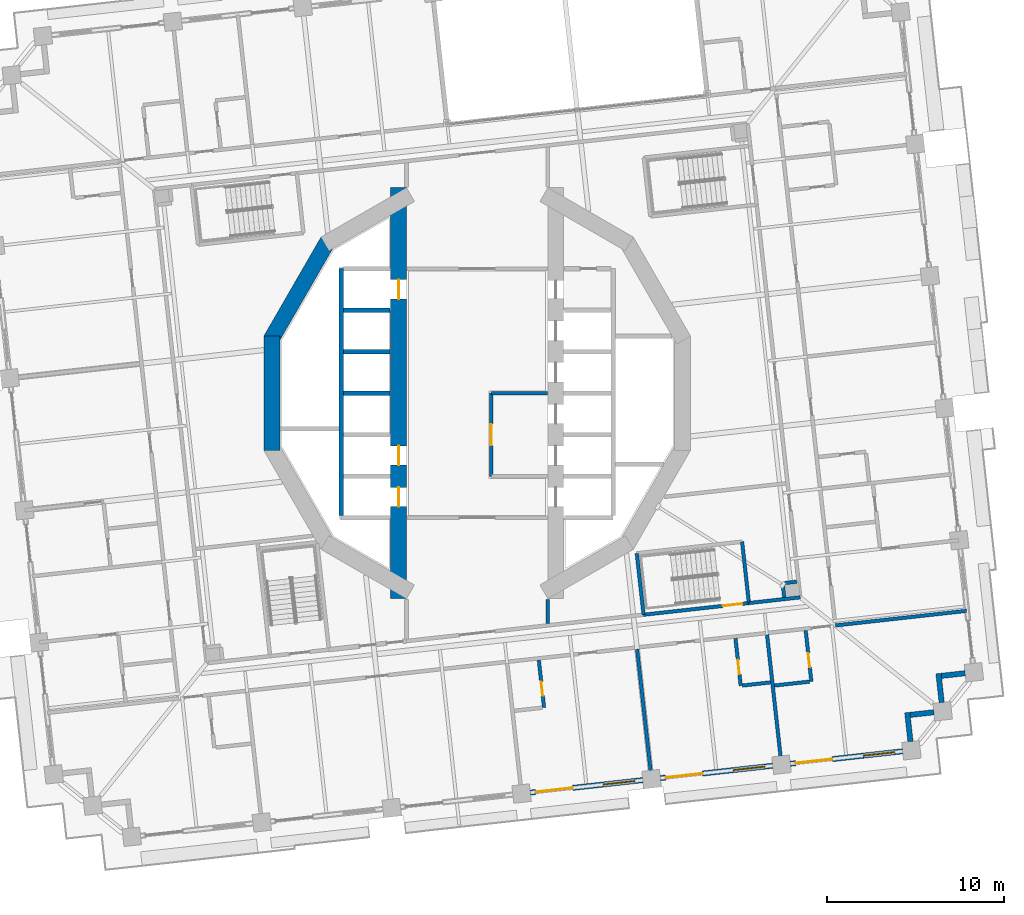
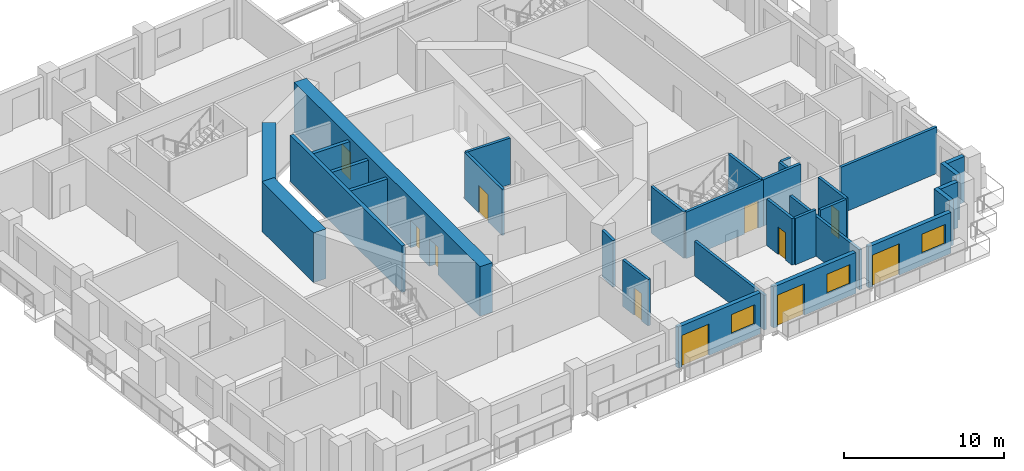
# One storey, part 9 of 20: 31 walls, 11 doors, 3 windows, 14 openings.
"""IFC4 building model written with IfcOpenShell, lengths in metres."""

from ifc_helpers import new_model, si_unit, direction, frame, frame_2d, origin, place, context, subcontext, project, spatial, rectangle, extrude, material, layer, layer_set, type_object, element, fill, save


model = new_model("IFC4")

# Units and contexts
model_context = context("Model", 3, precision=1e-05, world=origin(), true_north=direction((0.0, 1.0)))
body_context = subcontext(model_context, "Body", "Model", "MODEL_VIEW")
ifc_project = project(units=[si_unit("LENGTHUNIT", "METRE"), si_unit("AREAUNIT", "SQUARE_METRE"), si_unit("VOLUMEUNIT", "CUBIC_METRE"), si_unit("PLANEANGLEUNIT", "RADIAN"), si_unit("MASSUNIT", "GRAM", prefix="KILO")], contexts=[model_context])

# Site, building, storey
site_placement = place(None, origin())
site = spatial("IfcSite", under=ifc_project, at=site_placement, CompositionType="ELEMENT")
building_placement = place(site_placement, origin())
building = spatial("IfcBuilding", under=site, at=building_placement, Name="Cantera Rosa Tower", CompositionType="ELEMENT")
storey_placement = place(building_placement, frame((0.0, 0.0, 50.10009765625)))
storey = spatial("IfcBuildingStorey", under=building, at=storey_placement, Name="L09", CompositionType="ELEMENT", Elevation=50.10009765625)

# Walls
ifc_material_1 = material(Name="Gypsum board partition")
ifc_layer_1 = layer(ifc_material_1, 0.199951171875)
ifc_layer_set_1 = layer_set([ifc_layer_1], Name="CORRIDOR WALL 200 H3550")
wall_type_1 = type_object("IfcWallType", Name="CORRIDOR WALL 200 H3550", PredefinedType="PARTITIONING", material=ifc_layer_set_1)
wall_1_placement = place(storey_placement, frame((4.0, -13.038818359375, 0.0), z_axis=(0.0, 0.0, 1.0), x_axis=(0.0, 1.0, 0.0)))
element("IfcWall", 1, at=wall_1_placement, inside=storey, type_object=wall_type_1, Name="CORRIDOR WALL L09-063", PredefinedType="PARTITIONING", context=body_context, shape_type="SweptSolid", body=[
    extrude(rectangle(XDim=1.37158203125, YDim=0.199951171875, at=frame_2d((0.685791015625, 0.0))), origin(), (0.0, 0.0, 1.0), 3.5498046875),
])
wall_2_placement = place(storey_placement, frame((15.382080078125, -11.87548828125, 0.0), z_axis=(0.0, 0.0, 1.0), x_axis=(0.993899009794, 0.110293963256, 0.0)))
element("IfcWall", 2, at=wall_2_placement, inside=storey, type_object=wall_type_1, Name="CORRIDOR WALL L09-089", PredefinedType="PARTITIONING", context=body_context, shape_type="SweptSolid", body=[
    extrude(rectangle(XDim=2.921875, YDim=0.199951171875, at=frame_2d((1.4609375, 0.0))), origin(), (0.0, 0.0, 1.0), 3.5498046875),
])
ifc_material_2 = material(Name="Hollow clay masonry with cantera stone cladding", Category="masonry")
ifc_layer_2 = layer(ifc_material_2, 0.300048828125)
ifc_layer_set_2 = layer_set([ifc_layer_2], Name="EW-LOGGIA 300")
wall_type_2 = type_object("IfcWallType", Name="EW-LOGGIA 300", PredefinedType="SOLIDWALL", material=ifc_layer_set_2)
wall_3_placement = place(storey_placement, frame((24.5244140625, -19.71484375, 0.0), z_axis=(0.0, 0.0, 1.0), x_axis=(-0.110236638423, 0.993905369514, 0.0)))
element("IfcWall", 3, at=wall_3_placement, inside=storey, type_object=wall_type_2, Name="EN-L09-W29a", PredefinedType="SOLIDWALL", context=body_context, shape_type="SweptSolid", body=[
    extrude(rectangle(XDim=1.64990234375, YDim=0.300048828125, at=frame_2d((0.824951171875, 0.0))), origin(), (0.0, 0.0, 1.0), 3.5),
])
wall_4_placement = place(storey_placement, frame((24.508056640625, -18.20751953125, 0.0), z_axis=(0.0, 0.0, 1.0), x_axis=(0.993896959738, 0.110312435488, 0.0)))
element("IfcWall", 4, at=wall_4_placement, inside=storey, type_object=wall_type_2, Name="EN-L09-W29b", PredefinedType="SOLIDWALL", context=body_context, shape_type="SweptSolid", body=[
    extrude(rectangle(XDim=1.35009765625, YDim=0.300048828125, at=frame_2d((0.675048828125, 0.0))), origin(), (0.0, 0.0, 1.0), 3.5),
])
wall_5_placement = place(storey_placement, frame((26.291748046875, -17.506591796875, 0.0), z_axis=(0.0, 0.0, 1.0), x_axis=(-0.110382805355, 0.993889146878, 0.0)))
element("IfcWall", 5, at=wall_5_placement, inside=storey, type_object=wall_type_2, Name="EN-L09-W30a", PredefinedType="SOLIDWALL", context=body_context, shape_type="SweptSolid", body=[
    extrude(rectangle(XDim=1.64990234375, YDim=0.300048828125, at=frame_2d((0.824951171875, 0.0))), origin(), (0.0, 0.0, 1.0), 3.5),
])
wall_6_placement = place(storey_placement, frame((26.275146484375, -15.999267578125, 0.0), z_axis=(0.0, 0.0, 1.0), x_axis=(0.993896959738, 0.110312435488, 0.0)))
element("IfcWall", 6, at=wall_6_placement, inside=storey, type_object=wall_type_2, Name="EN-L09-W30b", PredefinedType="SOLIDWALL", context=body_context, shape_type="SweptSolid", body=[
    extrude(rectangle(XDim=1.35009765625, YDim=0.300048828125, at=frame_2d((0.675048828125, 0.0))), origin(), (0.0, 0.0, 1.0), 3.5),
])

# Wall, openings, window, door
ifc_material_3 = material(Name="Hollow clay masonry with cantera stone cladding", Category="masonry")
ifc_layer_3 = layer(ifc_material_3, 0.300048828125)
ifc_layer_set_3 = layer_set([ifc_layer_3], Name="EW-LOGGIA 300 H3140")
wall_type_3 = type_object("IfcWallType", Name="EW-LOGGIA 300 H3140", PredefinedType="SOLIDWALL", material=ifc_layer_set_3)
wall_7_placement = place(storey_placement, frame((3.011962890625, -22.605712890625, 0.0), z_axis=(0.0, 0.0, 1.0), x_axis=(0.993896288542, 0.110318482689, 0.0)))
wall_7 = element("IfcWall", 7, at=wall_7_placement, inside=storey, type_object=wall_type_3, Name="EN-L09-W26", PredefinedType="SOLIDWALL", context=body_context, shape_type="SweptSolid", body=[
    extrude(rectangle(XDim=6.400146484375, YDim=0.300048828125, at=frame_2d((3.2001953125, 0.0))), origin(), (0.0, 0.0, 1.0), 3.139892578125),
])
opening_1_placement = place(wall_7_placement, frame((0.300048828125, 0.0, 0.0)))
opening_1 = element("IfcOpeningElement", 8, at=opening_1_placement, cuts=wall_7, Name="Opening L09-TD35", PredefinedType="OPENING", context=body_context, shape_type="SweptSolid", body=[
    extrude(rectangle(XDim=2.10009765625, YDim=2.39990234375, at=frame_2d((1.050048828125, 1.199951171875))), frame((0.0, 0.159912109375, 0.0), z_axis=(0.0, -1.0, 0.0), x_axis=(1.0, 0.0, 0.0)), (0.0, 0.0, 1.0), 0.320068359375),
])
opening_2_placement = place(wall_7_placement, frame((4.14990234375, 0.0, 0.89990234375)))
opening_2 = element("IfcOpeningElement", 9, at=opening_2_placement, cuts=wall_7, Name="Opening L09-W36", PredefinedType="OPENING", context=body_context, shape_type="SweptSolid", body=[
    extrude(rectangle(XDim=1.800048828125, YDim=1.5, at=frame_2d((0.89990234375, 0.75))), frame((0.0, 0.159912109375, 0.0), z_axis=(0.0, -1.0, 0.0), x_axis=(1.0, 0.0, 0.0)), (0.0, 0.0, 1.0), 0.320068359375),
])
ifc_material_4 = material(Name="Aluminium frame with clear glass", Category="aluminium")
window_type = type_object("IfcWindowType", Name="Hotel room window 1800x1500", PartitioningType="DOUBLE_PANEL_VERTICAL", PredefinedType="WINDOW", material=ifc_material_4)
window_1_placement = place(opening_2_placement, origin())
window_1 = element("IfcWindow", 10, at=window_1_placement, inside=storey, type_object=window_type, Name="WINDOW L09-W36", OverallHeight=1.5, OverallWidth=1.800048828125, PartitioningType="SINGLE_PANEL", PredefinedType="WINDOW", context=body_context, shape_type="SweptSolid", body=[
    extrude(rectangle(XDim=1.800048828125, YDim=1.5, at=frame_2d((0.89990234375, 0.75))), frame((0.0, 0.030029296875, 0.0), z_axis=(0.0, -1.0, 0.0), x_axis=(1.0, 0.0, 0.0)), (0.0, 0.0, 1.0), 0.06005859375),
])
fill(opening_2, window_1)
ifc_material_5 = material(Name="Aluminium frame with clear glass", Category="aluminium")
door_type_1 = type_object("IfcDoorType", Name="TD-H 2100x2400", OperationType="NOTDEFINED", PredefinedType="DOOR", material=ifc_material_5)
door_1_placement = place(opening_1_placement, origin())
door_1 = element("IfcDoor", 11, at=door_1_placement, inside=storey, type_object=door_type_1, Name="LOGGIA DOOR L09-TD35", OperationType="SLIDING_TO_LEFT", OverallHeight=2.39990234375, OverallWidth=2.10009765625, PredefinedType="DOOR", context=body_context, shape_type="SweptSolid", body=[
    extrude(rectangle(XDim=2.10009765625, YDim=2.39990234375, at=frame_2d((1.050048828125, 1.199951171875))), frame((0.0, 0.02490234375, 0.0), z_axis=(0.0, -1.0, 0.0), x_axis=(1.0, 0.0, 0.0)), (0.0, 0.0, 1.0), 0.050048828125),
])
fill(opening_1, door_1)

wall_8_placement = place(storey_placement, frame((10.366943359375, -21.789306640625, 0.0), z_axis=(0.0, 0.0, 1.0), x_axis=(0.993900006422, 0.110284981906, 0.0)))
wall_8 = element("IfcWall", 12, at=wall_8_placement, inside=storey, type_object=wall_type_3, Name="EN-L09-W27", PredefinedType="SOLIDWALL", context=body_context, shape_type="SweptSolid", body=[
    extrude(rectangle(XDim=6.39990234375, YDim=0.300048828125, at=frame_2d((3.199951171875, 0.0))), origin(), (0.0, 0.0, 1.0), 3.139892578125),
])
opening_3_placement = place(wall_8_placement, frame((0.300048828125, 0.0, 0.0)))
opening_3 = element("IfcOpeningElement", 13, at=opening_3_placement, cuts=wall_8, Name="Opening L09-TD37", PredefinedType="OPENING", context=body_context, shape_type="SweptSolid", body=[
    extrude(rectangle(XDim=2.10009765625, YDim=2.39990234375, at=frame_2d((1.050048828125, 1.199951171875))), frame((0.0, 0.159912109375, 0.0), z_axis=(0.0, -1.0, 0.0), x_axis=(1.0, 0.0, 0.0)), (0.0, 0.0, 1.0), 0.320068359375),
])
opening_4_placement = place(wall_8_placement, frame((4.14990234375, 0.0, 0.89990234375)))
opening_4 = element("IfcOpeningElement", 14, at=opening_4_placement, cuts=wall_8, Name="Opening L09-W38", PredefinedType="OPENING", context=body_context, shape_type="SweptSolid", body=[
    extrude(rectangle(XDim=1.800048828125, YDim=1.5, at=frame_2d((0.89990234375, 0.75))), frame((0.0, 0.159912109375, 0.0), z_axis=(0.0, -1.0, 0.0), x_axis=(1.0, 0.0, 0.0)), (0.0, 0.0, 1.0), 0.320068359375),
])
window_2_placement = place(opening_4_placement, origin())
window_2 = element("IfcWindow", 15, at=window_2_placement, inside=storey, type_object=window_type, Name="WINDOW L09-W38", OverallHeight=1.5, OverallWidth=1.800048828125, PartitioningType="SINGLE_PANEL", PredefinedType="WINDOW", context=body_context, shape_type="SweptSolid", body=[
    extrude(rectangle(XDim=1.800048828125, YDim=1.5, at=frame_2d((0.89990234375, 0.75))), frame((0.0, 0.030029296875, 0.0), z_axis=(0.0, -1.0, 0.0), x_axis=(1.0, 0.0, 0.0)), (0.0, 0.0, 1.0), 0.06005859375),
])
fill(opening_4, window_2)
door_2_placement = place(opening_3_placement, origin())
door_2 = element("IfcDoor", 16, at=door_2_placement, inside=storey, type_object=door_type_1, Name="LOGGIA DOOR L09-TD37", OperationType="SLIDING_TO_LEFT", OverallHeight=2.39990234375, OverallWidth=2.10009765625, PredefinedType="DOOR", context=body_context, shape_type="SweptSolid", body=[
    extrude(rectangle(XDim=2.10009765625, YDim=2.39990234375, at=frame_2d((1.050048828125, 1.199951171875))), frame((0.0, 0.02490234375, 0.0), z_axis=(0.0, -1.0, 0.0), x_axis=(1.0, 0.0, 0.0)), (0.0, 0.0, 1.0), 0.050048828125),
])
fill(opening_3, door_2)

wall_9_placement = place(storey_placement, frame((17.7216796875, -20.97314453125, 0.0), z_axis=(0.0, 0.0, 1.0), x_axis=(0.993896288542, 0.110318482689, 0.0)))
wall_9 = element("IfcWall", 17, at=wall_9_placement, inside=storey, type_object=wall_type_3, Name="EN-L09-W28", PredefinedType="SOLIDWALL", context=body_context, shape_type="SweptSolid", body=[
    extrude(rectangle(XDim=6.400146484375, YDim=0.300048828125, at=frame_2d((3.2001953125, 0.0))), origin(), (0.0, 0.0, 1.0), 3.139892578125),
])
opening_5_placement = place(wall_9_placement, frame((0.300048828125, 0.0, 0.0)))
opening_5 = element("IfcOpeningElement", 18, at=opening_5_placement, cuts=wall_9, Name="Opening L09-TD39", PredefinedType="OPENING", context=body_context, shape_type="SweptSolid", body=[
    extrude(rectangle(XDim=2.10009765625, YDim=2.39990234375, at=frame_2d((1.050048828125, 1.199951171875))), frame((0.0, 0.159912109375, 0.0), z_axis=(0.0, -1.0, 0.0), x_axis=(1.0, 0.0, 0.0)), (0.0, 0.0, 1.0), 0.320068359375),
])
opening_6_placement = place(wall_9_placement, frame((4.14990234375, 0.0, 0.89990234375)))
opening_6 = element("IfcOpeningElement", 19, at=opening_6_placement, cuts=wall_9, Name="Opening L09-W40", PredefinedType="OPENING", context=body_context, shape_type="SweptSolid", body=[
    extrude(rectangle(XDim=1.800048828125, YDim=1.5, at=frame_2d((0.89990234375, 0.75))), frame((0.0, 0.159912109375, 0.0), z_axis=(0.0, -1.0, 0.0), x_axis=(1.0, 0.0, 0.0)), (0.0, 0.0, 1.0), 0.320068359375),
])
window_3_placement = place(opening_6_placement, origin())
window_3 = element("IfcWindow", 20, at=window_3_placement, inside=storey, type_object=window_type, Name="WINDOW L09-W40", OverallHeight=1.5, OverallWidth=1.800048828125, PartitioningType="SINGLE_PANEL", PredefinedType="WINDOW", context=body_context, shape_type="SweptSolid", body=[
    extrude(rectangle(XDim=1.800048828125, YDim=1.5, at=frame_2d((0.89990234375, 0.75))), frame((0.0, 0.030029296875, 0.0), z_axis=(0.0, -1.0, 0.0), x_axis=(1.0, 0.0, 0.0)), (0.0, 0.0, 1.0), 0.06005859375),
])
fill(opening_6, window_3)
door_3_placement = place(opening_5_placement, origin())
door_3 = element("IfcDoor", 21, at=door_3_placement, inside=storey, type_object=door_type_1, Name="LOGGIA DOOR L09-TD39", OperationType="SLIDING_TO_LEFT", OverallHeight=2.39990234375, OverallWidth=2.10009765625, PredefinedType="DOOR", context=body_context, shape_type="SweptSolid", body=[
    extrude(rectangle(XDim=2.10009765625, YDim=2.39990234375, at=frame_2d((1.050048828125, 1.199951171875))), frame((0.0, 0.02490234375, 0.0), z_axis=(0.0, -1.0, 0.0), x_axis=(1.0, 0.0, 0.0)), (0.0, 0.0, 1.0), 0.050048828125),
])
fill(opening_5, door_3)

# Wall, opening, door
ifc_material_6 = material(Name="Gypsum board partition")
ifc_layer_4 = layer(ifc_material_6, 0.199951171875)
ifc_layer_set_4 = layer_set([ifc_layer_4], Name="PARTITION 200 H3550")
wall_type_4 = type_object("IfcWallType", Name="PARTITION 200 H3550", PredefinedType="PARTITIONING", material=ifc_layer_set_4)
wall_10_placement = place(storey_placement, frame((3.48779296875, -15.107421875, 0.0), z_axis=(0.0, 0.0, 1.0), x_axis=(0.110312435488, -0.993896959738, 0.0)))
wall_10 = element("IfcWall", 22, at=wall_10_placement, inside=storey, type_object=wall_type_4, Name="PARTITION L09-059", PredefinedType="PARTITIONING", context=body_context, shape_type="SweptSolid", body=[
    extrude(rectangle(XDim=2.699951171875, YDim=0.199951171875, at=frame_2d((1.35009765625, 0.0))), origin(), (0.0, 0.0, 1.0), 3.5498046875),
])
opening_7_placement = place(wall_10_placement, frame((1.236083984375, 0.0, 0.0)))
opening_7 = element("IfcOpeningElement", 23, at=opening_7_placement, cuts=wall_10, Name="Opening L09-044", PredefinedType="OPENING", context=body_context, shape_type="SweptSolid", body=[
    extrude(rectangle(XDim=0.800048828125, YDim=2.10009765625, at=frame_2d((0.39990234375, 1.050048828125))), frame((0.0, 0.10986328125, 0.0), z_axis=(0.0, -1.0, 0.0), x_axis=(1.0, 0.0, 0.0)), (0.0, 0.0, 1.0), 0.219970703125),
])
ifc_material_7 = material(Name="Timber door leaf", Category="wood")
door_type_2 = type_object("IfcDoorType", Name="BATHROOM DOOR 800x2100", OperationType="NOTDEFINED", PredefinedType="DOOR", material=ifc_material_7)
door_4_placement = place(opening_7_placement, origin())
door_4 = element("IfcDoor", 24, at=door_4_placement, inside=storey, type_object=door_type_2, Name="DOOR L09-044", OperationType="NOTDEFINED", OverallHeight=2.10009765625, OverallWidth=0.800048828125, PredefinedType="DOOR", context=body_context, shape_type="SweptSolid", body=[
    extrude(rectangle(XDim=0.800048828125, YDim=2.10009765625, at=frame_2d((0.39990234375, 1.050048828125))), frame((0.0, 0.02490234375, 0.0), z_axis=(0.0, -1.0, 0.0), x_axis=(1.0, 0.0, 0.0)), (0.0, 0.0, 1.0), 0.050048828125),
])
fill(opening_7, door_4)

wall_11_placement = place(storey_placement, frame((14.917236328125, -16.555419921875, 0.0), z_axis=(0.0, 0.0, 1.0), x_axis=(-0.110312435488, 0.993896959738, 0.0)))
wall_11 = element("IfcWall", 25, at=wall_11_placement, inside=storey, type_object=wall_type_4, Name="PARTITION L09-085", PredefinedType="PARTITIONING", context=body_context, shape_type="SweptSolid", body=[
    extrude(rectangle(XDim=2.699951171875, YDim=0.199951171875, at=frame_2d((1.35009765625, 0.0))), origin(), (0.0, 0.0, 1.0), 3.5498046875),
])
opening_8_placement = place(wall_11_placement, frame((0.6640625, 0.0, 0.0)))
opening_8 = element("IfcOpeningElement", 26, at=opening_8_placement, cuts=wall_11, Name="Opening L09-042", PredefinedType="OPENING", context=body_context, shape_type="SweptSolid", body=[
    extrude(rectangle(XDim=0.800048828125, YDim=2.10009765625, at=frame_2d((0.39990234375, 1.050048828125))), frame((0.0, 0.10986328125, 0.0), z_axis=(0.0, -1.0, 0.0), x_axis=(1.0, 0.0, 0.0)), (0.0, 0.0, 1.0), 0.219970703125),
])
door_5_placement = place(opening_8_placement, origin())
door_5 = element("IfcDoor", 27, at=door_5_placement, inside=storey, type_object=door_type_2, Name="DOOR L09-042", OperationType="NOTDEFINED", OverallHeight=2.10009765625, OverallWidth=0.800048828125, PredefinedType="DOOR", context=body_context, shape_type="SweptSolid", body=[
    extrude(rectangle(XDim=0.800048828125, YDim=2.10009765625, at=frame_2d((0.39990234375, 1.050048828125))), frame((0.0, 0.02490234375, 0.0), z_axis=(0.0, -1.0, 0.0), x_axis=(1.0, 0.0, 0.0)), (0.0, 0.0, 1.0), 0.050048828125),
])
fill(opening_8, door_5)

# Walls
wall_12_placement = place(storey_placement, frame((16.60693359375, -16.367919921875, 0.0), z_axis=(0.0, 0.0, 1.0), x_axis=(-0.99389675276, -0.110314300314, 0.0)))
element("IfcWall", 28, at=wall_12_placement, inside=storey, type_object=wall_type_4, Name="PARTITION L09-094", PredefinedType="PARTITIONING", context=body_context, shape_type="SweptSolid", body=[
    extrude(rectangle(XDim=1.60009765625, YDim=0.199951171875, at=frame_2d((0.800048828125, 0.0))), origin(), (0.0, 0.0, 1.0), 3.5498046875),
])
wall_13_placement = place(storey_placement, frame((17.292236328125, -10.758056640625, 0.0), z_axis=(0.0, 0.0, 1.0), x_axis=(0.110465018303, -0.993880012744, 0.0)))
element("IfcWall", 29, at=wall_13_placement, inside=storey, type_object=wall_type_4, Name="PARTITION L09-102", PredefinedType="PARTITIONING", context=body_context, shape_type="SweptSolid", body=[
    extrude(rectangle(XDim=0.800048828125, YDim=0.199951171875, at=frame_2d((0.39990234375, 0.0))), origin(), (0.0, 0.0, 1.0), 3.5498046875),
])
wall_14_placement = place(storey_placement, frame((18.08740234375, -10.669921875, 0.0), z_axis=(0.0, 0.0, 1.0), x_axis=(-0.993909225707, -0.110201865026, 0.0)))
element("IfcWall", 30, at=wall_14_placement, inside=storey, type_object=wall_type_4, Name="PARTITION L09-105", PredefinedType="PARTITIONING", context=body_context, shape_type="SweptSolid", body=[
    extrude(rectangle(XDim=0.699951171875, YDim=0.199951171875, at=frame_2d((0.35009765625, 0.0))), origin(), (0.0, 0.0, 1.0), 3.5498046875),
])

# Wall, opening, door
wall_15_placement = place(storey_placement, frame((18.59521484375, -13.4306640625, 0.0), z_axis=(0.0, 0.0, 1.0), x_axis=(0.110283685989, -0.993900150219, 0.0)))
wall_15 = element("IfcWall", 31, at=wall_15_placement, inside=storey, type_object=wall_type_4, Name="PARTITION L09-107", PredefinedType="PARTITIONING", context=body_context, shape_type="SweptSolid", body=[
    extrude(rectangle(XDim=2.89990234375, YDim=0.199951171875, at=frame_2d((1.449951171875, 0.0))), origin(), (0.0, 0.0, 1.0), 3.5498046875),
])
opening_9_placement = place(wall_15_placement, frame((1.300048828125, 0.0, 0.0)))
opening_9 = element("IfcOpeningElement", 32, at=opening_9_placement, cuts=wall_15, Name="Opening L09-048", PredefinedType="OPENING", context=body_context, shape_type="SweptSolid", body=[
    extrude(rectangle(XDim=0.800048828125, YDim=2.10009765625, at=frame_2d((0.39990234375, 1.050048828125))), frame((0.0, 0.10986328125, 0.0), z_axis=(0.0, -1.0, 0.0), x_axis=(1.0, 0.0, 0.0)), (0.0, 0.0, 1.0), 0.219970703125),
])
door_6_placement = place(opening_9_placement, origin())
door_6 = element("IfcDoor", 33, at=door_6_placement, inside=storey, type_object=door_type_2, Name="DOOR L09-048", OperationType="NOTDEFINED", OverallHeight=2.10009765625, OverallWidth=0.800048828125, PredefinedType="DOOR", context=body_context, shape_type="SweptSolid", body=[
    extrude(rectangle(XDim=0.800048828125, YDim=2.10009765625, at=frame_2d((0.39990234375, 1.050048828125))), frame((0.0, 0.02490234375, 0.0), z_axis=(0.0, -1.0, 0.0), x_axis=(1.0, 0.0, 0.0)), (0.0, 0.0, 1.0), 0.050048828125),
])
fill(opening_9, door_6)

# Walls
wall_16_placement = place(storey_placement, frame((18.815673828125, -16.323974609375, 0.0), z_axis=(0.0, 0.0, 1.0), x_axis=(-0.993892663362, -0.110351138256, 0.0)))
element("IfcWall", 34, at=wall_16_placement, inside=storey, type_object=wall_type_4, Name="PARTITION L09-109", PredefinedType="PARTITIONING", context=body_context, shape_type="SweptSolid", body=[
    extrude(rectangle(XDim=2.0, YDim=0.199951171875, at=frame_2d((1.0, 0.0))), origin(), (0.0, 0.0, 1.0), 3.5498046875),
])
ifc_material_8 = material(Name="Gypsum board partition")
ifc_layer_5 = layer(ifc_material_8, 0.199951171875)
ifc_layer_set_5 = layer_set([ifc_layer_5], Name="PARTY WALL 200 H2650")
wall_type_5 = type_object("IfcWallType", Name="PARTY WALL 200 H2650", PredefinedType="PARTITIONING", material=ifc_layer_set_5)
wall_17_placement = place(storey_placement, frame((9.0537109375, -14.48974609375, 0.0), z_axis=(0.0, 0.0, 1.0), x_axis=(0.11031154238, -0.993897058864, 0.0)))
element("IfcWall", 35, at=wall_17_placement, inside=storey, type_object=wall_type_5, Name="PARTY WALL L09-076", PredefinedType="PARTITIONING", context=body_context, shape_type="SweptSolid", body=[
    extrude(rectangle(XDim=7.369873046875, YDim=0.199951171875, at=frame_2d((3.68505859375, 0.0))), origin(), (0.0, 0.0, 1.0), 2.64990234375),
])
ifc_material_9 = material(Name="Gypsum board partition")
ifc_layer_6 = layer(ifc_material_9, 0.199951171875)
ifc_layer_set_6 = layer_set([ifc_layer_6], Name="PARTY WALL 200 H3050")
wall_type_6 = type_object("IfcWallType", Name="PARTY WALL 200 H3050", PredefinedType="PARTITIONING", material=ifc_layer_set_6)
wall_18_placement = place(storey_placement, frame((16.408447265625, -13.67333984375, 0.0), z_axis=(0.0, 0.0, 1.0), x_axis=(0.11031154238, -0.993897058864, 0.0)))
element("IfcWall", 36, at=wall_18_placement, inside=storey, type_object=wall_type_6, Name="PARTY WALL L09-093", PredefinedType="PARTITIONING", context=body_context, shape_type="SweptSolid", body=[
    extrude(rectangle(XDim=7.369873046875, YDim=0.199951171875, at=frame_2d((3.68505859375, 0.0))), origin(), (0.0, 0.0, 1.0), 3.0498046875),
])
ifc_material_10 = material(Name="Gypsum board partition")
ifc_layer_7 = layer(ifc_material_10, 0.199951171875)
ifc_layer_set_7 = layer_set([ifc_layer_7], Name="PARTY WALL 200 H3550")
wall_type_7 = type_object("IfcWallType", Name="PARTY WALL 200 H3550", PredefinedType="PARTITIONING", material=ifc_layer_set_7)
wall_19_placement = place(storey_placement, frame((27.697998046875, -12.319580078125, 0.0), z_axis=(0.0, 0.0, 1.0), x_axis=(-0.993894093242, -0.110338259085, 0.0)))
element("IfcWall", 37, at=wall_19_placement, inside=storey, type_object=wall_type_7, Name="PARTY WALL L09-119", PredefinedType="PARTITIONING", context=body_context, shape_type="SweptSolid", body=[
    extrude(rectangle(XDim=7.469970703125, YDim=0.199951171875, at=frame_2d((3.73486328125, 0.0))), origin(), (0.0, 0.0, 1.0), 3.5498046875),
])
ifc_material_11 = material(Name="Concrete C70/85", Category="concrete")
ifc_layer_8 = layer(ifc_material_11, 0.89990234375)
ifc_layer_set_8 = layer_set([ifc_layer_8], Name="RC CORE WALL 900 C70/85")
wall_type_8 = type_object("IfcWallType", Name="RC CORE WALL 900 C70/85", PredefinedType="SHEAR", material=ifc_layer_set_8)
wall_20_placement = place(storey_placement, frame((-11.6240234375, -3.2353515625, 0.0), z_axis=(0.0, 0.0, 1.0), x_axis=(0.0, 1.0, 0.0)))
element("IfcWall", 38, at=wall_20_placement, inside=storey, type_object=wall_type_8, Name="CW-W3 L09", PredefinedType="SHEAR", context=body_context, shape_type="SweptSolid", body=[
    extrude(rectangle(XDim=6.470703125, YDim=0.89990234375, at=frame_2d((3.2353515625, 0.0))), origin(), (0.0, 0.0, 1.0), 3.7998046875),
])
wall_21_placement = place(storey_placement, frame((-11.684326171875, 3.01025390625, 0.0), z_axis=(0.0, 0.0, 1.0), x_axis=(0.499990282633, 0.866031014036, 0.0)))
element("IfcWall", 39, at=wall_21_placement, inside=storey, type_object=wall_type_8, Name="CW-W4 L09", PredefinedType="SHEAR", context=body_context, shape_type="SweptSolid", body=[
    extrude(rectangle(XDim=6.470458984375, YDim=0.89990234375, at=frame_2d((3.2353515625, 0.0))), origin(), (0.0, 0.0, 1.0), 3.7998046875),
])

# Wall, openings, doors
wall_22_placement = place(storey_placement, frame((-4.449951171875, 11.632568359375, 0.0), z_axis=(0.0, 0.0, 1.0), x_axis=(0.0, -1.0, 0.0)))
wall_22 = element("IfcWall", 40, at=wall_22_placement, inside=storey, type_object=wall_type_8, Name="CW-W6 L09", PredefinedType="SHEAR", context=body_context, shape_type="SweptSolid", body=[
    extrude(rectangle(XDim=23.26513671875, YDim=0.89990234375, at=frame_2d((11.632568359375, 0.0))), origin(), (0.0, 0.0, 1.0), 3.7998046875),
])
opening_10_placement = place(wall_22_placement, frame((14.607421875, 0.0, 0.0)))
opening_10 = element("IfcOpeningElement", 41, at=opening_10_placement, cuts=wall_22, Name="Opening LD-P3-L09", PredefinedType="OPENING", context=body_context, shape_type="SweptSolid", body=[
    extrude(rectangle(XDim=1.10009765625, YDim=2.10009765625, at=frame_2d((0.550048828125, 1.050048828125))), frame((0.0, 0.4599609375, 0.0), z_axis=(0.0, -1.0, 0.0), x_axis=(1.0, 0.0, 0.0)), (0.0, 0.0, 1.0), 0.919921875),
])
opening_11_placement = place(wall_22_placement, frame((16.95751953125, 0.0, 0.0)))
opening_11 = element("IfcOpeningElement", 42, at=opening_11_placement, cuts=wall_22, Name="Opening LD-P4-L09", PredefinedType="OPENING", context=body_context, shape_type="SweptSolid", body=[
    extrude(rectangle(XDim=1.10009765625, YDim=2.10009765625, at=frame_2d((0.550048828125, 1.050048828125))), frame((0.0, 0.4599609375, 0.0), z_axis=(0.0, -1.0, 0.0), x_axis=(1.0, 0.0, 0.0)), (0.0, 0.0, 1.0), 0.919921875),
])
opening_12_placement = place(wall_22_placement, frame((5.20751953125, 0.0, 0.0)))
opening_12 = element("IfcOpeningElement", 43, at=opening_12_placement, cuts=wall_22, Name="Opening LD-P5-L09", PredefinedType="OPENING", context=body_context, shape_type="SweptSolid", body=[
    extrude(rectangle(XDim=1.10009765625, YDim=2.10009765625, at=frame_2d((0.550048828125, 1.050048828125))), frame((0.0, 0.4599609375, 0.0), z_axis=(0.0, -1.0, 0.0), x_axis=(1.0, 0.0, 0.0)), (0.0, 0.0, 1.0), 0.919921875),
])
ifc_material_12 = material(Name="Steel S355J2 (EN 10025-2)", Category="steel")
door_type_3 = type_object("IfcDoorType", Name="LANDING DOOR 1100x2100", OperationType="NOTDEFINED", PredefinedType="DOOR", material=ifc_material_12)
door_7_placement = place(opening_10_placement, origin())
door_7 = element("IfcDoor", 44, at=door_7_placement, inside=storey, type_object=door_type_3, Name="LANDING DOOR P3 L09", OperationType="SLIDING_TO_LEFT", OverallHeight=2.10009765625, OverallWidth=1.10009765625, PredefinedType="DOOR", context=body_context, shape_type="SweptSolid", body=[
    extrude(rectangle(XDim=1.10009765625, YDim=2.10009765625, at=frame_2d((0.550048828125, 1.050048828125))), frame((0.0, 0.02490234375, 0.0), z_axis=(0.0, -1.0, 0.0), x_axis=(1.0, 0.0, 0.0)), (0.0, 0.0, 1.0), 0.050048828125),
])
fill(opening_10, door_7)
door_8_placement = place(opening_11_placement, origin())
door_8 = element("IfcDoor", 45, at=door_8_placement, inside=storey, type_object=door_type_3, Name="LANDING DOOR P4 L09", OperationType="SLIDING_TO_LEFT", OverallHeight=2.10009765625, OverallWidth=1.10009765625, PredefinedType="DOOR", context=body_context, shape_type="SweptSolid", body=[
    extrude(rectangle(XDim=1.10009765625, YDim=2.10009765625, at=frame_2d((0.550048828125, 1.050048828125))), frame((0.0, 0.02490234375, 0.0), z_axis=(0.0, -1.0, 0.0), x_axis=(1.0, 0.0, 0.0)), (0.0, 0.0, 1.0), 0.050048828125),
])
fill(opening_11, door_8)
door_9_placement = place(opening_12_placement, origin())
door_9 = element("IfcDoor", 46, at=door_9_placement, inside=storey, type_object=door_type_3, Name="LANDING DOOR P5 L09", OperationType="SLIDING_TO_LEFT", OverallHeight=2.10009765625, OverallWidth=1.10009765625, PredefinedType="DOOR", context=body_context, shape_type="SweptSolid", body=[
    extrude(rectangle(XDim=1.10009765625, YDim=2.10009765625, at=frame_2d((0.550048828125, 1.050048828125))), frame((0.0, 0.02490234375, 0.0), z_axis=(0.0, -1.0, 0.0), x_axis=(1.0, 0.0, 0.0)), (0.0, 0.0, 1.0), 0.050048828125),
])
fill(opening_12, door_9)

# Walls
ifc_material_13 = material(Name="Masonry blockwork", Category="masonry")
ifc_layer_9 = layer(ifc_material_13, 0.25)
ifc_layer_set_9 = layer_set([ifc_layer_9], Name="SHAFT WALL 250 H3550")
wall_type_9 = type_object("IfcWallType", Name="SHAFT WALL 250 H3550", PredefinedType="SOLIDWALL", material=ifc_layer_set_9)
for number, where, z_axis, x_axis, name in (
    (47, (-7.574951171875, 0.0, 0.0), (0.0, 0.0, 1.0), (1.0, 0.0, 0.0), "SHAFT WALL L09-046"),
    (48, (-7.574951171875, 2.35009765625, 0.0), (0.0, 0.0, 1.0), (1.0, 0.0, 0.0), "SHAFT WALL L09-047"),
    (49, (-7.574951171875, 4.699951171875, 0.0), (0.0, 0.0, 1.0), (1.0, 0.0, 0.0), "SHAFT WALL L09-048"),
):
    element("IfcWall", number, at=place(storey_placement, frame(where, z_axis=z_axis, x_axis=x_axis)), inside=storey, type_object=wall_type_9, Name=name, PredefinedType="SOLIDWALL", context=body_context, shape_type="SweptSolid", body=[
        extrude(rectangle(XDim=2.64501953125, YDim=0.25, at=frame_2d((1.322509765625, 0.0))), origin(), (0.0, 0.0, 1.0), 3.5498046875),
    ])
wall_23_placement = place(storey_placement, frame((-7.699951171875, 7.050048828125, 0.0), z_axis=(0.0, 0.0, 1.0), x_axis=(0.0, -1.0, 0.0)))
element("IfcWall", 50, at=wall_23_placement, inside=storey, type_object=wall_type_9, Name="SHAFT WALL L09-049", PredefinedType="SOLIDWALL", context=body_context, shape_type="SweptSolid", body=[
    extrude(rectangle(XDim=13.97998046875, YDim=0.25, at=frame_2d((6.989990234375, 0.0))), origin(), (0.0, 0.0, 1.0), 3.5498046875),
])

# Wall, opening, door
ifc_material_14 = material(Name="Concrete C50/60", Category="concrete")
ifc_layer_10 = layer(ifc_material_14, 0.199951171875)
ifc_layer_set_10 = layer_set([ifc_layer_10], Name="STAIR WALL 200 H3550")
wall_type_10 = type_object("IfcWallType", Name="STAIR WALL 200 H3550", PredefinedType="SOLIDWALL", material=ifc_layer_set_10)
wall_24_placement = place(storey_placement, frame((0.800048828125, -4.699951171875, 0.0), z_axis=(0.0, 0.0, 1.0), x_axis=(0.0, 1.0, 0.0)))
wall_24 = element("IfcWall", 51, at=wall_24_placement, inside=storey, type_object=wall_type_10, Name="STAIR WALL L09-056", PredefinedType="SOLIDWALL", context=body_context, shape_type="SweptSolid", body=[
    extrude(rectangle(XDim=4.699951171875, YDim=0.199951171875, at=frame_2d((2.35009765625, 0.0))), origin(), (0.0, 0.0, 1.0), 3.5498046875),
])
opening_13_placement = place(wall_24_placement, frame((1.75, 0.0, 0.0)))
opening_13 = element("IfcOpeningElement", 52, at=opening_13_placement, cuts=wall_24, Name="Opening L09-014", PredefinedType="OPENING", context=body_context, shape_type="SweptSolid", body=[
    extrude(rectangle(XDim=1.199951171875, YDim=2.10009765625, at=frame_2d((0.60009765625, 1.050048828125))), frame((0.0, 0.10986328125, 0.0), z_axis=(0.0, -1.0, 0.0), x_axis=(1.0, 0.0, 0.0)), (0.0, 0.0, 1.0), 0.219970703125),
])
ifc_material_15 = material(Name="Steel S355J2 (EN 10025-2)", Category="steel")
door_type_4 = type_object("IfcDoorType", Name="FIRE DOOR 1200x2100", OperationType="NOTDEFINED", PredefinedType="DOOR", material=ifc_material_15)
door_10_placement = place(opening_13_placement, origin())
door_10 = element("IfcDoor", 53, at=door_10_placement, inside=storey, type_object=door_type_4, Name="DOOR L09-014", OperationType="NOTDEFINED", OverallHeight=2.10009765625, OverallWidth=1.199951171875, PredefinedType="DOOR", context=body_context, shape_type="SweptSolid", body=[
    extrude(rectangle(XDim=1.199951171875, YDim=2.10009765625, at=frame_2d((0.60009765625, 1.050048828125))), frame((0.0, 0.02490234375, 0.0), z_axis=(0.0, -1.0, 0.0), x_axis=(1.0, 0.0, 0.0)), (0.0, 0.0, 1.0), 0.050048828125),
])
fill(opening_13, door_10)

# Walls
wall_25_placement = place(storey_placement, frame((0.800048828125, 0.0, 0.0), z_axis=(0.0, 0.0, 1.0), x_axis=(1.0, 0.0, 0.0)))
element("IfcWall", 54, at=wall_25_placement, inside=storey, type_object=wall_type_10, Name="STAIR WALL L09-057", PredefinedType="SOLIDWALL", context=body_context, shape_type="SweptSolid", body=[
    extrude(rectangle(XDim=3.169921875, YDim=0.199951171875, at=frame_2d((1.5849609375, 0.0))), origin(), (0.0, 0.0, 1.0), 3.5498046875),
])
wall_26_placement = place(storey_placement, frame((9.033447265625, -9.066162109375, 0.0), z_axis=(0.0, 0.0, 1.0), x_axis=(0.11030110325, -0.993898217436, 0.0)))
element("IfcWall", 55, at=wall_26_placement, inside=storey, type_object=wall_type_10, Name="STAIR WALL L09-075", PredefinedType="SOLIDWALL", context=body_context, shape_type="SweptSolid", body=[
    extrude(rectangle(XDim=3.49267578125, YDim=0.199951171875, at=frame_2d((1.746337890625, 0.0))), origin(), (0.0, 0.0, 1.0), 3.5498046875),
])

# Wall, opening, door
wall_27_placement = place(storey_placement, frame((9.418701171875, -12.53759765625, 0.0), z_axis=(0.0, 0.0, 1.0), x_axis=(0.993892663362, 0.110351138256, 0.0)))
wall_27 = element("IfcWall", 56, at=wall_27_placement, inside=storey, type_object=wall_type_10, Name="STAIR WALL L09-077", PredefinedType="SOLIDWALL", context=body_context, shape_type="SweptSolid", body=[
    extrude(rectangle(XDim=6.0, YDim=0.199951171875, at=frame_2d((3.0, 0.0))), origin(), (0.0, 0.0, 1.0), 3.5498046875),
])
opening_14_placement = place(wall_27_placement, frame((4.52490234375, 0.0, 0.0)))
opening_14 = element("IfcOpeningElement", 57, at=opening_14_placement, cuts=wall_27, Name="Opening L09-004", PredefinedType="OPENING", context=body_context, shape_type="SweptSolid", body=[
    extrude(rectangle(XDim=1.10009765625, YDim=2.10009765625, at=frame_2d((0.550048828125, 1.050048828125))), frame((0.0, 0.10986328125, 0.0), z_axis=(0.0, -1.0, 0.0), x_axis=(1.0, 0.0, 0.0)), (0.0, 0.0, 1.0), 0.219970703125),
])
ifc_material_16 = material(Name="Steel S355J2 (EN 10025-2)", Category="steel")
door_type_5 = type_object("IfcDoorType", Name="STAIR DOOR 1100x2100", OperationType="NOTDEFINED", PredefinedType="DOOR", material=ifc_material_16)
door_11_placement = place(opening_14_placement, origin())
door_11 = element("IfcDoor", 58, at=door_11_placement, inside=storey, type_object=door_type_5, Name="DOOR L09-004", OperationType="NOTDEFINED", OverallHeight=2.10009765625, OverallWidth=1.10009765625, PredefinedType="DOOR", context=body_context, shape_type="SweptSolid", body=[
    extrude(rectangle(XDim=1.10009765625, YDim=2.10009765625, at=frame_2d((0.550048828125, 1.050048828125))), frame((0.0, 0.02490234375, 0.0), z_axis=(0.0, -1.0, 0.0), x_axis=(1.0, 0.0, 0.0)), (0.0, 0.0, 1.0), 0.050048828125),
])
fill(opening_14, door_11)

# Wall
wall_28_placement = place(storey_placement, frame((15.382080078125, -11.87548828125, 0.0), z_axis=(0.0, 0.0, 1.0), x_axis=(-0.110308766705, 0.993897366929, 0.0)))
element("IfcWall", 59, at=wall_28_placement, inside=storey, type_object=wall_type_10, Name="STAIR WALL L09-088", PredefinedType="SOLIDWALL", context=body_context, shape_type="SweptSolid", body=[
    extrude(rectangle(XDim=3.492431640625, YDim=0.199951171875, at=frame_2d((1.74609375, 0.0))), origin(), (0.0, 0.0, 1.0), 3.5498046875),
])

save(model, "model.ifc")
